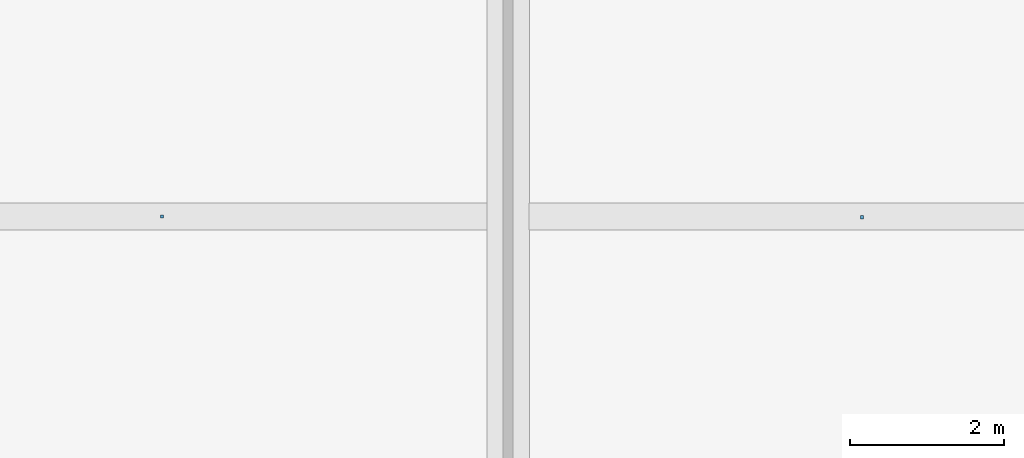
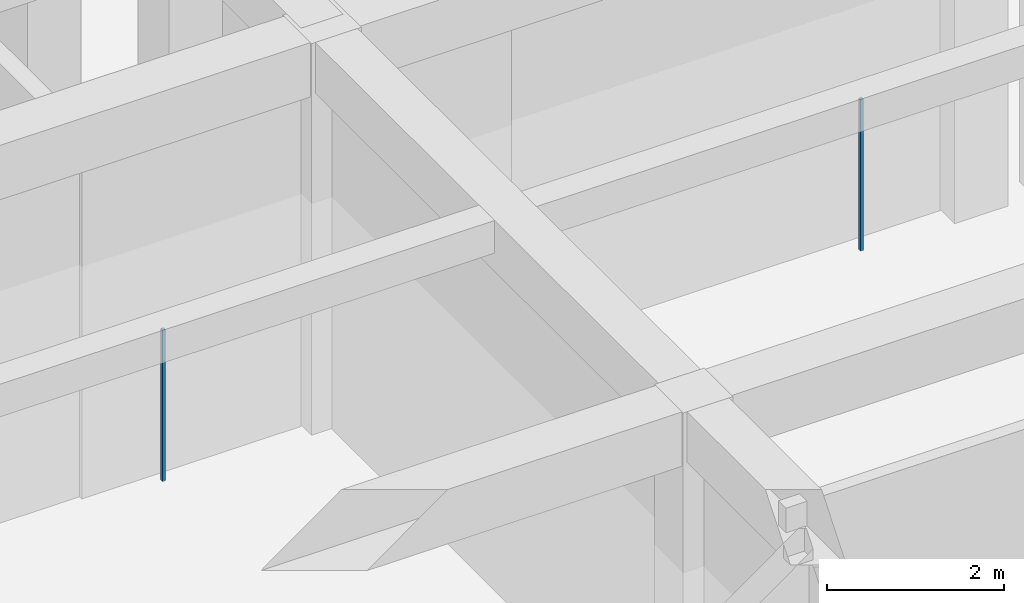
# One storey, part 135 of 167: 2 discrete accessories.
"""IFC4 building model written with IfcOpenShell, lengths in metres."""

from ifc_helpers import new_model, si_unit, direction, frame, origin, origin_2d, place, context, subcontext, project, spatial, rectangle, extrude, material, type_object, element, save


model = new_model("IFC4")

# Units and contexts
model_context = context("Model", 3, precision=1e-05, world=origin(), true_north=direction((0.0, 1.0)))
body_context = subcontext(model_context, "Body", "Model", "MODEL_VIEW")
ifc_project = project(units=[si_unit("LENGTHUNIT", "METRE"), si_unit("AREAUNIT", "SQUARE_METRE"), si_unit("VOLUMEUNIT", "CUBIC_METRE"), si_unit("PLANEANGLEUNIT", "RADIAN"), si_unit("MASSUNIT", "GRAM", prefix="KILO")], contexts=[model_context])

# Site, building, storey
site_placement = place(None, origin())
site = spatial("IfcSite", under=ifc_project, at=site_placement, CompositionType="ELEMENT")
building_placement = place(site_placement, origin())
building = spatial("IfcBuilding", under=site, at=building_placement, Name="Varncliffe General Hospital", CompositionType="ELEMENT")
storey_placement = place(building_placement, origin())
storey = spatial("IfcBuildingStorey", under=building, at=storey_placement, Name="L00", CompositionType="ELEMENT", Elevation=0.0)

# Discrete accessories
ifc_material = material(Name="Powder-coated hospital steel guardrail and handrail", Category="steel")
discrete_accessory_type = type_object("IfcDiscreteAccessoryType", Name="Suspended Ceiling Hanger Bracket CH01", PredefinedType="BRACKET", material=ifc_material)
for number, where, z_axis, x_axis, name in (
    (1, (146.699951171875, 95.39990234375, 3.18994140625), (0.0, 0.0, 1.0), (1.0, 0.0, 0.0), "L00 Suspended Ceiling Hanger 58"),
    (2, (155.800048828125, 95.387451171875, 3.18994140625), (0.0, 0.0, 1.0), (1.0, 0.0, 0.0), "L00 Suspended Ceiling Hanger 104"),
):
    element("IfcDiscreteAccessory", number, at=place(storey_placement, frame(where, z_axis=z_axis, x_axis=x_axis)), inside=storey, type_object=discrete_accessory_type, Name=name, PredefinedType="BRACKET", context=body_context, shape_type="SweptSolid", body=[
        extrude(rectangle(XDim=0.0400390625, YDim=0.0400390625, at=origin_2d()), origin(), (0.0, 0.0, 1.0), 2.090087890625),
    ])

save(model, "model.ifc")
